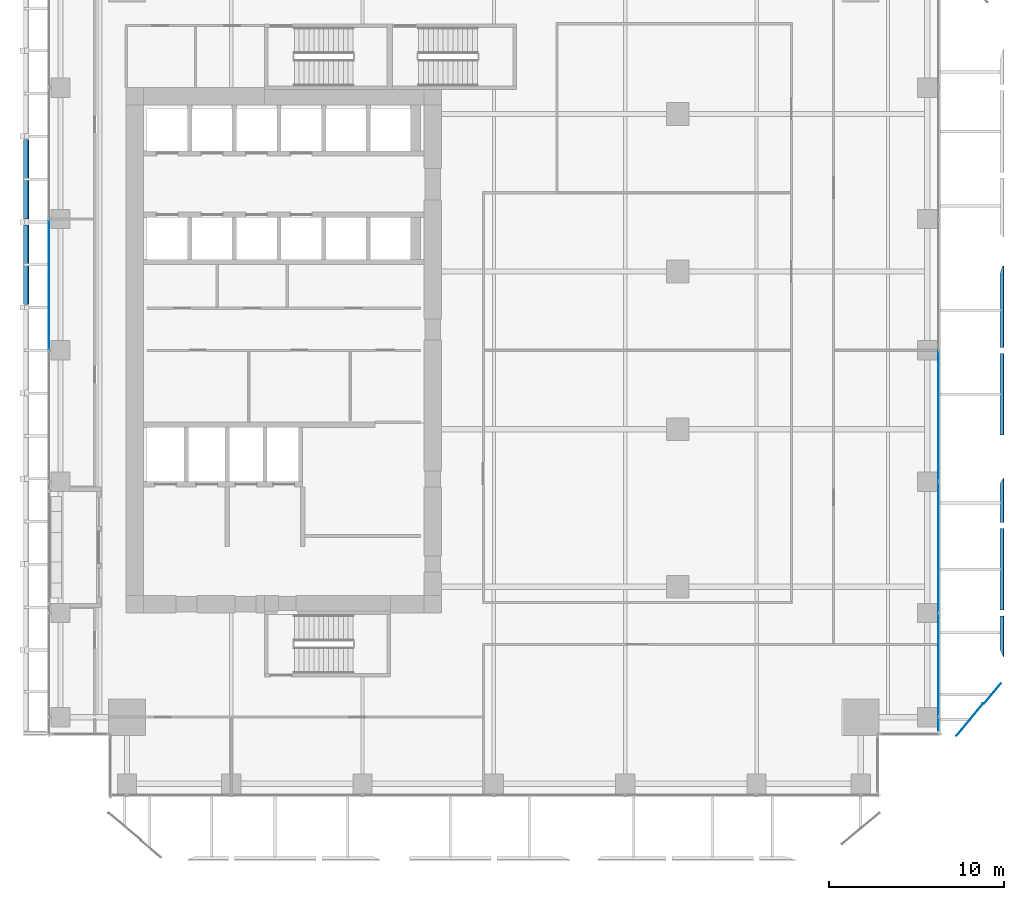
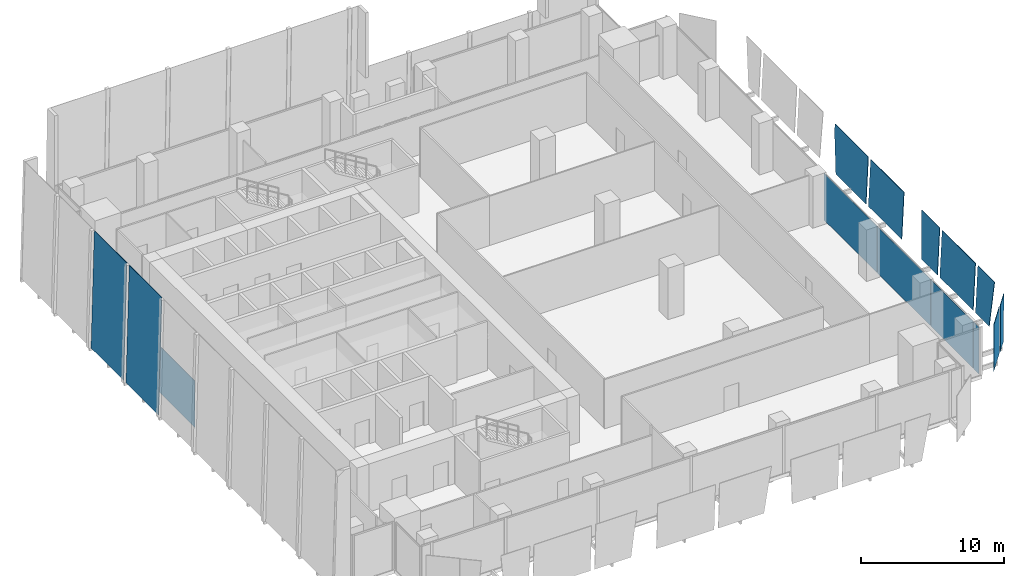
# One storey, part 25 of 34: 14 plates, 2 elements without a shape of their own.
"""IFC4 building model written with IfcOpenShell, lengths in metres."""

from ifc_helpers import new_model, si_unit, direction, frame, origin, origin_2d, place, context, subcontext, project, spatial, polyline, rectangle, outline, extrude, source, transform, mapped, material, layer, layer_set, type_object, element, aggregate, save


model = new_model("IFC4")

# Units and contexts
model_context = context("Model", 3, precision=1e-05, world=origin(), true_north=direction((0.0, 1.0)))
body_context = subcontext(model_context, "Body", "Model", "MODEL_VIEW")
ifc_project = project(units=[si_unit("LENGTHUNIT", "METRE"), si_unit("AREAUNIT", "SQUARE_METRE"), si_unit("VOLUMEUNIT", "CUBIC_METRE"), si_unit("PLANEANGLEUNIT", "RADIAN"), si_unit("MASSUNIT", "GRAM", prefix="KILO")], contexts=[model_context])

# Site, building, storey
site_placement = place(None, origin())
site = spatial("IfcSite", under=ifc_project, at=site_placement, CompositionType="ELEMENT")
building_placement = place(site_placement, origin())
building = spatial("IfcBuilding", under=site, at=building_placement, Name="Khomas Fold Tower", CompositionType="ELEMENT")
storey_placement = place(building_placement, frame((0.0, 0.0, 154.300048828125)))
storey = spatial("IfcBuildingStorey", under=building, at=storey_placement, Name="L33", CompositionType="ELEMENT", Elevation=154.300048828125)

# Plates
ifc_material_1 = material(Name="Clear laminated glass", Category="glass")
ifc_layer_1 = layer(ifc_material_1, 0.0400390625)
ifc_layer_set_1 = layer_set([ifc_layer_1], Name="Clear laminated glass")
plate_type_1 = type_object("IfcPlateType", Name="SK-Clear laminated glass leaf", PredefinedType="SHEET", material=ifc_layer_set_1)
plate_1_placement = place(storey_placement, frame((53.39990234375, 5.0, 0.0), z_axis=(-0.768204479018, 0.640204559822, 0.0), x_axis=(0.0, 0.0, 1.0)))
element("IfcPlate", 1, at=plate_1_placement, inside=storey, type_object=plate_type_1, Name="OUTER SKIN glass L33 EG098-1", PredefinedType="SHEET", context=body_context, shape_type="SweptSolid", body=[
    extrude(outline(polyline([(0.0, 0.0), (3.949951171875, 0.0), (3.949951171875, 2.3822799462709954), (0.0, 2.3822799462709954), (0.0, 0.0)])), origin(), (0.0, 0.0, -1.0), 0.0400390625),
])
plate_2_placement = place(storey_placement, frame((55.77001953125, 7.78173828125, 0.0), z_axis=(-0.768213956743, 0.640193186885, 1.1446741e-05), x_axis=(-0.640193186927, -0.768213956794, 4.24e-10)))
element("IfcPlate", 2, at=plate_2_placement, inside=storey, type_object=plate_type_1, Name="OUTER SKIN glass L33 EG099-2", PredefinedType="SHEET", context=body_context, shape_type="SweptSolid", body=[
    extrude(outline(polyline([(0.0, 0.0), (1.2200076623802574, 0.0), (1.2200076640559125, 3.9499511716162226), (-0.2927718298103568, 3.9499511727755303), (0.0, 0.0)])), origin(), (0.0, 0.0, -1.0), 0.0400390625),
])
plate_3_placement = place(storey_placement, frame((55.90625, 9.92529296875, 0.0), z_axis=(-0.998875250252, 0.0, 0.04741555054), x_axis=(0.047141511893, -0.107357427474, 0.99310224077)))
element("IfcPlate", 3, at=plate_3_placement, inside=storey, type_object=plate_type_1, Name="OUTER SKIN glass L33 EG099-3", PredefinedType="SHEET", context=body_context, shape_type="SweptSolid", body=[
    extrude(outline(polyline([(0.0, 0.0), (3.9773862244153824, 0.0), (3.727051558935121, 2.318310522493978), (-0.20449283426625445, 1.8937764314205863), (0.0, 0.0)])), origin(), (0.0, 0.0, -1.0), 0.0400390625),
])
plate_4_placement = place(storey_placement, frame((55.90625, 12.169921875, 0.0), z_axis=(-0.998875250252, 0.0, 0.04741555054), x_axis=(0.04741555054, 0.0, 0.998875250252)))
element("IfcPlate", 4, at=plate_4_placement, inside=storey, type_object=plate_type_1, Name="OUTER SKIN glass L33 EG100-4", PredefinedType="SHEET", context=body_context, shape_type="SweptSolid", body=[
    extrude(outline(polyline([(0.0, 0.0), (3.9543988810180344, 0.0), (3.9543988810180344, 4.66015625), (0.0, 4.66015625), (0.0, 0.0)])), origin(), (0.0, 0.0, -1.0), 0.0400390625),
])
plate_5_placement = place(storey_placement, frame((55.90625, 19.38720703125, 0.0), z_axis=(-0.998875250252, 0.0, 0.04741555054), x_axis=(0.0, -1.0, 0.0)))
element("IfcPlate", 5, at=plate_5_placement, inside=storey, type_object=plate_type_1, Name="OUTER SKIN glass L33 EG101-5", PredefinedType="SHEET", context=body_context, shape_type="SweptSolid", body=[
    extrude(outline(polyline([(0.0, 0.0), (2.21728515625, 0.0), (2.21728515625, 3.9543988810180344), (-0.31103515625, 3.9543988810180344), (0.0, 0.0)])), origin(), (0.0, 0.0, -1.0), 0.0400390625),
])
plate_6_placement = place(storey_placement, frame((55.90625, 22.169921875, 0.0), z_axis=(-0.998875250252, 0.0, 0.04741555054), x_axis=(0.04741555054, 0.0, 0.998875250252)))
element("IfcPlate", 6, at=plate_6_placement, inside=storey, type_object=plate_type_1, Name="OUTER SKIN glass L33 EG102-6", PredefinedType="SHEET", context=body_context, shape_type="SweptSolid", body=[
    extrude(outline(polyline([(0.0, 0.0), (3.9543988810180344, 0.0), (3.9543988810180344, 4.66015625), (0.0, 4.66015625), (0.0, 0.0)])), origin(), (0.0, 0.0, -1.0), 0.0400390625),
])
plate_7_placement = place(storey_placement, frame((55.90625, 31.38427734375, 0.0), z_axis=(-0.998875348942, 1.8494886e-05, 0.047413467849), x_axis=(-1.8474086e-05, -0.999999999829, 8.76907e-07)))
element("IfcPlate", 7, at=plate_7_placement, inside=storey, type_object=plate_type_1, Name="OUTER SKIN glass L33 EG103-7", PredefinedType="SHEET", context=body_context, shape_type="SweptSolid", body=[
    extrude(outline(polyline([(0.0, 0.0), (4.2143554680292175, 0.0), (4.214355467876727, 3.9543988810094395), (-0.44580078132624545, 3.9543988810094395), (-0.44580078436186804, 3.2763980551478804), (0.0, 0.0)])), origin(), (0.0, 0.0, -1.0), 0.0400390625),
])
for number, where, z_axis, x_axis, name in (
    (8, (0.142578125, 29.614501953125, 0.0009765625), (-0.999657457978, 0.0, 0.02617186867), (0.0, 1.0, 0.0), "OUTER SKIN glass L33 W11"),
    (9, (0.142578125, 34.50341796875, 0.0009765625), (-0.999657457978, 0.0, 0.02617186867), (0.0, 1.0, 0.0), "OUTER SKIN glass L33 W13"),
):
    element("IfcPlate", number, at=place(storey_placement, frame(where, z_axis=z_axis, x_axis=x_axis)), inside=storey, type_object=plate_type_1, Name=name, PredefinedType="SHEET", context=body_context, shape_type="SweptSolid", body=[
        extrude(outline(polyline([(0.0, 0.0), (4.548828125, 0.0), (4.548828125, -9.953360616149824), (0.0, -9.953360616149824), (0.0, 0.0)])), origin(), (0.0, 0.0, -1.0), 0.0400390625),
    ])

# Curtain wall, plates
ifc_material_2 = material(Name="Aluminium framed double glazing", Category="aluminium")
curtain_wall_type = type_object("IfcCurtainWallType", Name="SK-Unitised clear-glass wall, growing floors CW1", PredefinedType="NOTDEFINED", material=ifc_material_2)
curtain_wall_1_placement = place(storey_placement, origin())
curtain_wall_1 = element("IfcCurtainWall", 10, at=curtain_wall_1_placement, inside=storey, type_object=curtain_wall_type, Name="CW1 run L33 03-0", PredefinedType="NOTDEFINED")
ifc_material_3 = material(Name="Clear double glazed unit")
ifc_layer_2 = layer(ifc_material_3, 0.031982421875)
ifc_layer_set_2 = layer_set([ifc_layer_2], Name="Clear double glazed unit")
plate_type_2 = type_object("IfcPlateType", Name="SK-Unitised clear-glass wall, growing floors glass panel CW1-P", PredefinedType="CURTAIN_PANEL", material=ifc_layer_set_2)
shared_shape_1 = source(origin(), body_context, "Body", "SweptSolid", [
    extrude(rectangle(XDim=0.760009765625, YDim=0.031982421875, at=origin_2d()), origin(), (0.0, 0.0, 1.0), 3.97998046875),
])
plate_8_placement = place(storey_placement, frame((52.39990234375, 5.639892578125, 0.0), z_axis=(0.0, 0.0, 1.0), x_axis=(0.0, 1.0, 0.0)))
plate_8 = element("IfcPlate", 11, at=plate_8_placement, type_object=plate_type_2, Name="CW1 glass panel 1", PredefinedType="CURTAIN_PANEL", context=body_context, shape_type="MappedRepresentation", body=[
    mapped(shared_shape_1, transform((0.0, 0.0, 0.0))),
])
shared_shape_2 = source(origin(), body_context, "Body", "SweptSolid", [
    extrude(rectangle(XDim=5.889892578125, YDim=0.031982421875, at=origin_2d()), origin(), (0.0, 0.0, 1.0), 3.97998046875),
])
plate_9_placement = place(storey_placement, frame((52.39990234375, 9.02490234375, 0.0), z_axis=(0.0, 0.0, 1.0), x_axis=(0.0, 1.0, 0.0)))
plate_9 = element("IfcPlate", 12, at=plate_9_placement, type_object=plate_type_2, Name="CW1 glass panel 2", PredefinedType="CURTAIN_PANEL", context=body_context, shape_type="MappedRepresentation", body=[
    mapped(shared_shape_2, transform((0.0, 0.0, 0.0))),
])
shared_shape_3 = source(origin(), body_context, "Body", "SweptSolid", [
    extrude(rectangle(XDim=7.43994140625, YDim=0.031982421875, at=origin_2d()), origin(), (0.0, 0.0, 1.0), 3.97998046875),
])
plate_10_placement = place(storey_placement, frame((52.39990234375, 15.75, 0.0), z_axis=(0.0, 0.0, 1.0), x_axis=(0.0, 1.0, 0.0)))
plate_10 = element("IfcPlate", 13, at=plate_10_placement, type_object=plate_type_2, Name="CW1 glass panel 3", PredefinedType="CURTAIN_PANEL", context=body_context, shape_type="MappedRepresentation", body=[
    mapped(shared_shape_3, transform((0.0, 0.0, 0.0))),
])
plate_11_placement = place(storey_placement, frame((52.39990234375, 23.25, 0.0), z_axis=(0.0, 0.0, 1.0), x_axis=(0.0, 1.0, 0.0)))
plate_11 = element("IfcPlate", 14, at=plate_11_placement, type_object=plate_type_2, Name="CW1 glass panel 4", PredefinedType="CURTAIN_PANEL", context=body_context, shape_type="MappedRepresentation", body=[
    mapped(shared_shape_3, transform((0.0, 0.0, 0.0))),
])
aggregate(curtain_wall_1, [plate_8, plate_9, plate_10, plate_11])

# Curtain wall, plate
curtain_wall_2_placement = place(storey_placement, origin())
curtain_wall_2 = element("IfcCurtainWall", 15, at=curtain_wall_2_placement, inside=storey, type_object=curtain_wall_type, Name="CW1 run L33 09-0", PredefinedType="NOTDEFINED")
plate_12_placement = place(storey_placement, frame((1.60009765625, 30.75, 0.0), z_axis=(0.0, 0.0, 1.0), x_axis=(0.0, -1.0, 0.0)))
plate_12 = element("IfcPlate", 16, at=plate_12_placement, type_object=plate_type_2, Name="CW1 glass panel 4", PredefinedType="CURTAIN_PANEL", context=body_context, shape_type="MappedRepresentation", body=[
    mapped(shared_shape_3, transform((0.0, 0.0, 0.0))),
])
aggregate(curtain_wall_2, [plate_12])

save(model, "model.ifc")
